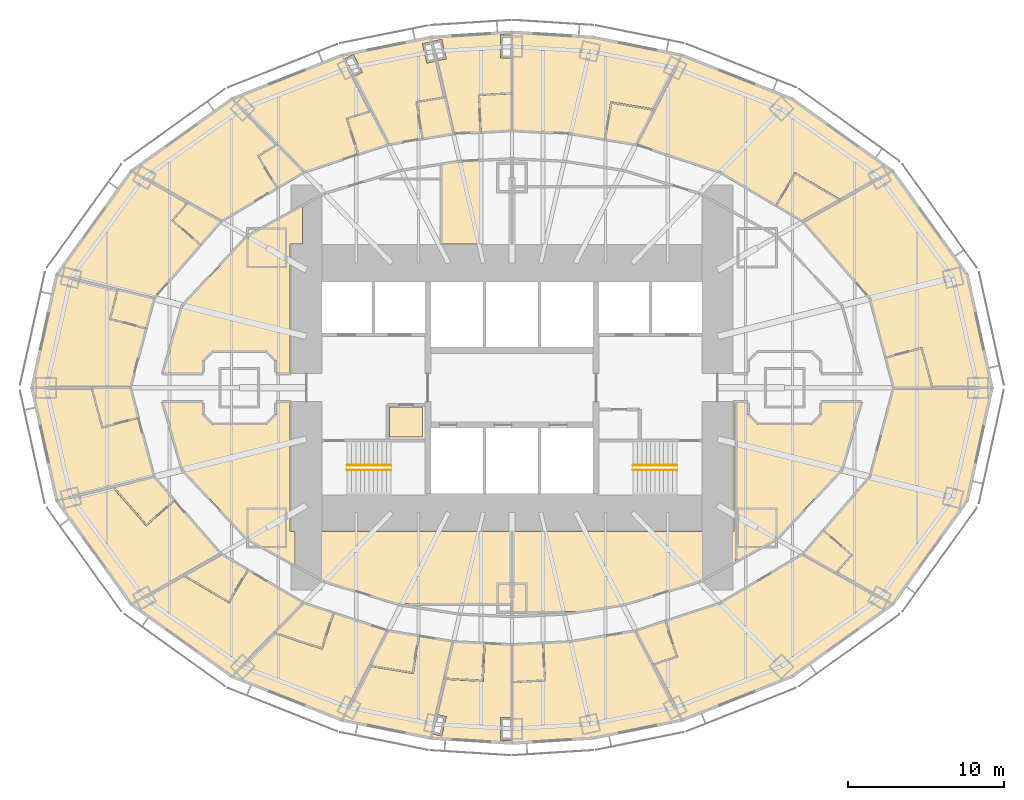
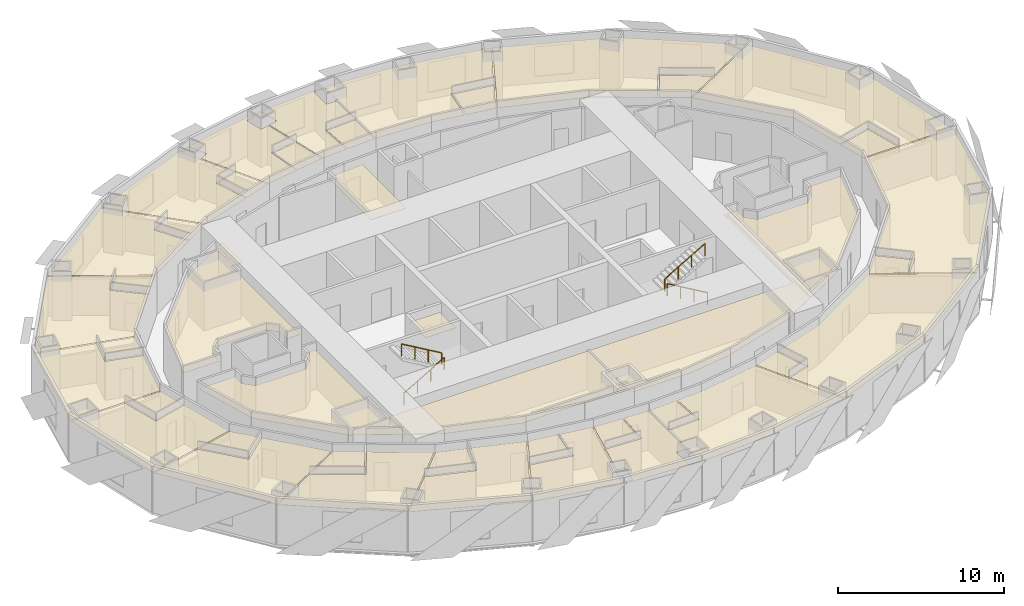
# One storey, part 15 of 15: 43 coverings, 4 railings.
"""IFC4 building model written with IfcOpenShell, lengths in metres."""

from ifc_helpers import new_model, si_unit, direction, frame, origin, origin_2d, place, context, subcontext, project, spatial, polyline, circle, outline, extrude, material, layer, layer_set, type_object, element, save


model = new_model("IFC4")

# Units and contexts
model_context = context("Model", 3, precision=1e-05, world=origin(), true_north=direction((0.0, 1.0)))
body_context = subcontext(model_context, "Body", "Model", "MODEL_VIEW")
ifc_project = project(units=[si_unit("LENGTHUNIT", "METRE"), si_unit("AREAUNIT", "SQUARE_METRE"), si_unit("VOLUMEUNIT", "CUBIC_METRE"), si_unit("PLANEANGLEUNIT", "RADIAN"), si_unit("MASSUNIT", "GRAM", prefix="KILO")], contexts=[model_context])

# Site, building, storey
site_placement = place(None, origin())
site = spatial("IfcSite", under=ifc_project, at=site_placement, CompositionType="ELEMENT")
building_placement = place(site_placement, origin())
building = spatial("IfcBuilding", under=site, at=building_placement, Name="Lantaw Convention Tower", CompositionType="ELEMENT")
storey_placement = place(building_placement, frame((0.0, 0.0, 62.199951171875)))
storey = spatial("IfcBuildingStorey", under=building, at=storey_placement, Name="L13", CompositionType="ELEMENT", Elevation=62.199951171875)

# Railings
ifc_material_1 = material(Name="Stainless steel", Category="steel")
railing_type = type_object("IfcRailingType", Name="Stair handrail", PredefinedType="HANDRAIL", material=ifc_material_1)
railing_1_placement = place(storey_placement, frame((-10.580078125, -5.280029296875, 0.16357421875)))
element("IfcRailing", 1, at=railing_1_placement, inside=storey, type_object=railing_type, Name="Stair handrail S1", PredefinedType="HANDRAIL", context=body_context, shape_type="SweptSolid", body=[
    extrude(circle(Radius=0.02392578125, at=origin_2d()), frame((0.0, 0.0, 0.8759765625), z_axis=(0.863360870873, 0.0, 0.504586966384), x_axis=(0.0, 1.0, 0.0)), (0.0, 0.0, 1.0), 3.2431640625),
    extrude(circle(Radius=0.02099609375, at=origin_2d()), origin(), (0.0, 0.0, 1.0), 0.851806640625),
    extrude(circle(Radius=0.02099609375, at=origin_2d()), frame((0.933349609375, 0.0, 0.54541015625)), (0.0, 0.0, 1.0), 0.851806640625),
    extrude(circle(Radius=0.02099609375, at=origin_2d()), frame((1.86669921875, 0.0, 1.091064453125)), (0.0, 0.0, 1.0), 0.851806640625),
    extrude(circle(Radius=0.02099609375, at=origin_2d()), frame((2.800048828125, 0.0, 1.636474609375)), (0.0, 0.0, 1.0), 0.851806640625),
])
for number, where, name in (
    (2, (-7.780029296875, -4.97998046875, 1.963623046875), "Stair handrail S1"),
    (3, (10.580078125, -5.280029296875, 0.16357421875), "Stair handrail S2"),
):
    element("IfcRailing", number, at=place(storey_placement, frame(where)), inside=storey, type_object=railing_type, Name=name, PredefinedType="HANDRAIL", context=body_context, shape_type="SweptSolid", body=[
        extrude(circle(Radius=0.02392578125, at=origin_2d()), frame((0.0, 0.0, 0.8759765625), z_axis=(-0.863360870873, 0.0, 0.504586966384), x_axis=(0.0, -1.0, 0.0)), (0.0, 0.0, 1.0), 3.2431640625),
        extrude(circle(Radius=0.02099609375, at=origin_2d()), origin(), (0.0, 0.0, 1.0), 0.851806640625),
        extrude(circle(Radius=0.02099609375, at=origin_2d()), frame((-0.933349609375, 0.0, 0.54541015625)), (0.0, 0.0, 1.0), 0.851806640625),
        extrude(circle(Radius=0.02099609375, at=origin_2d()), frame((-1.86669921875, 0.0, 1.091064453125)), (0.0, 0.0, 1.0), 0.851806640625),
        extrude(circle(Radius=0.02099609375, at=origin_2d()), frame((-2.800048828125, 0.0, 1.636474609375)), (0.0, 0.0, 1.0), 0.851806640625),
    ])
railing_2_placement = place(storey_placement, frame((7.780029296875, -4.97998046875, 1.963623046875)))
element("IfcRailing", 4, at=railing_2_placement, inside=storey, type_object=railing_type, Name="Stair handrail S2", PredefinedType="HANDRAIL", context=body_context, shape_type="SweptSolid", body=[
    extrude(circle(Radius=0.02392578125, at=origin_2d()), frame((0.0, 0.0, 0.8759765625), z_axis=(0.863360870873, 0.0, 0.504586966384), x_axis=(0.0, 1.0, 0.0)), (0.0, 0.0, 1.0), 3.2431640625),
    extrude(circle(Radius=0.02099609375, at=origin_2d()), origin(), (0.0, 0.0, 1.0), 0.851806640625),
    extrude(circle(Radius=0.02099609375, at=origin_2d()), frame((0.933349609375, 0.0, 0.54541015625)), (0.0, 0.0, 1.0), 0.851806640625),
    extrude(circle(Radius=0.02099609375, at=origin_2d()), frame((1.86669921875, 0.0, 1.091064453125)), (0.0, 0.0, 1.0), 0.851806640625),
    extrude(circle(Radius=0.02099609375, at=origin_2d()), frame((2.800048828125, 0.0, 1.636474609375)), (0.0, 0.0, 1.0), 0.851806640625),
])

# Coverings
ifc_material_2 = material(Name="Gypsum board on steel suspension grid", Category="steel")
ifc_layer = layer(ifc_material_2, 0.02001953125)
ifc_layer_set = layer_set([ifc_layer], Name="Suspended ceiling")
covering_type = type_object("IfcCoveringType", Name="Suspended ceiling", PredefinedType="CEILING", material=ifc_layer_set)
covering_1_placement = place(storey_placement, frame((0.0, 0.0, 2.85009765625)))
element("IfcCovering", 5, at=covering_1_placement, inside=storey, type_object=covering_type, Name="Housekeeping pantry ceiling", PredefinedType="CEILING", context=body_context, shape_type="SweptSolid", body=[
    extrude(outline(polyline([(-7.860107421875, -3.159912109375), (-5.739990234375, -3.159912109375), (-5.739990234375, -1.239990234375), (-7.860107421875, -1.239990234375), (-7.860107421875, -3.159912109375)])), origin(), (0.0, 0.0, 1.0), 0.02001953125),
])
covering_2_placement = place(storey_placement, frame((0.0, 0.0, 2.85009765625)))
element("IfcCovering", 6, at=covering_2_placement, inside=storey, type_object=covering_type, Name="Accessible WC ceiling", PredefinedType="CEILING", context=body_context, shape_type="SweptSolid", body=[
    extrude(outline(polyline([(-3.3525390625, 14.49853515625), (-4.510009765625, 14.3203125), (-4.510009765625, 9.239990234375), (-2.014892578125, 9.239990234375), (-2.014892578125, 14.56298828125), (-3.3525390625, 14.49853515625)])), origin(), (0.0, 0.0, 1.0), 0.02001953125),
])
covering_3_placement = place(storey_placement, frame((0.0, 0.0, 2.85009765625)))
element("IfcCovering", 7, at=covering_3_placement, inside=storey, type_object=covering_type, Name="Housekeeping room ceiling", PredefinedType="CEILING", context=body_context, shape_type="SweptSolid", body=[
    extrude(outline(polyline([(-22.388671875, 0.93994140625), (-19.864990234375, 0.93994140625), (-19.864990234375, 1.7412109375), (-19.2412109375, 2.364990234375), (-15.7587890625, 2.364990234375), (-15.135009765625, 1.7412109375), (-15.135009765625, 0.93994140625), (-14.239990234375, 0.93994140625), (-14.239990234375, 9.239990234375), (-13.43994140625, 9.239990234375), (-13.43994140625, 11.64697265625), (-16.99609375, 9.694091796875), (-21.148193359375, 5.261474609375), (-22.388671875, 0.93994140625)])), origin(), (0.0, 0.0, 1.0), 0.02001953125),
])
covering_4_placement = place(storey_placement, frame((0.0, 0.0, 2.85009765625)))
element("IfcCovering", 8, at=covering_4_placement, inside=storey, type_object=covering_type, Name="Staff locker room ceiling", PredefinedType="CEILING", context=body_context, shape_type="SweptSolid", body=[
    extrude(outline(polyline([(-12.020263671875, -12.426513671875), (-7.303466796875, -13.860107421875), (-0.0400390625, -13.860107421875), (-0.0400390625, -9.239990234375), (-13.860107421875, -9.239990234375), (-13.860107421875, -11.416259765625), (-12.020263671875, -12.426513671875)])), origin(), (0.0, 0.0, 1.0), 0.02001953125),
])
covering_5_placement = place(storey_placement, frame((0.0, 0.0, 2.85009765625)))
element("IfcCovering", 9, at=covering_5_placement, inside=storey, type_object=covering_type, Name="Staff room ceiling", PredefinedType="CEILING", context=body_context, shape_type="SweptSolid", body=[
    extrude(outline(polyline([(-22.388671875, -0.93994140625), (-21.148193359375, -5.261474609375), (-16.99609375, -9.694091796875), (-13.93994140625, -11.372314453125), (-13.93994140625, -9.239990234375), (-14.239990234375, -9.239990234375), (-14.239990234375, -0.93994140625), (-15.135009765625, -0.93994140625), (-15.135009765625, -1.7412109375), (-15.7587890625, -2.364990234375), (-19.2412109375, -2.364990234375), (-19.864990234375, -1.7412109375), (-19.864990234375, -0.93994140625), (-22.388671875, -0.93994140625)])), origin(), (0.0, 0.0, 1.0), 0.02001953125),
])
covering_6_placement = place(storey_placement, frame((0.0, 0.0, 2.85009765625)))
element("IfcCovering", 10, at=covering_6_placement, inside=storey, type_object=covering_type, Name="Guest ice and vending room ceiling", PredefinedType="CEILING", context=body_context, shape_type="SweptSolid", body=[
    extrude(outline(polyline([(7.10400390625, -13.920654296875), (12.020263671875, -12.426513671875), (14.360107421875, -11.1416015625), (14.360107421875, -0.93994140625), (14.239990234375, -0.93994140625), (14.239990234375, -9.239990234375), (0.0400390625, -9.239990234375), (0.0400390625, -14.360107421875), (4.251953125, -14.360107421875), (7.10400390625, -13.920654296875)])), origin(), (0.0, 0.0, 1.0), 0.02001953125),
])
covering_7_placement = place(storey_placement, frame((0.0, 0.0, 2.85009765625)))
element("IfcCovering", 11, at=covering_7_placement, inside=storey, type_object=covering_type, Name="Room service pantry ceiling", PredefinedType="CEILING", context=body_context, shape_type="SweptSolid", body=[
    extrude(outline(polyline([(22.388671875, -0.93994140625), (19.864990234375, -0.93994140625), (19.864990234375, -1.7412109375), (19.2412109375, -2.364990234375), (15.7587890625, -2.364990234375), (15.135009765625, -1.7412109375), (15.135009765625, -0.93994140625), (14.43994140625, -0.93994140625), (14.43994140625, -11.097900390625), (16.99609375, -9.694091796875), (21.148193359375, -5.261474609375), (22.388671875, -0.93994140625)])), origin(), (0.0, 0.0, 1.0), 0.02001953125),
])
covering_8_placement = place(storey_placement, frame((0.0, 0.0, 2.85009765625)))
element("IfcCovering", 12, at=covering_8_placement, inside=storey, type_object=covering_type, Name="Junior suite bathroom ceiling", PredefinedType="CEILING", context=body_context, shape_type="SweptSolid", body=[
    extrude(outline(polyline([(24.53076171875, 0.0400390625), (26.931396484375, 0.0400390625), (26.27685546875, 2.500732421875), (24.03466796875, 1.904296875), (24.53076171875, 0.0400390625)])), origin(), (0.0, 0.0, 1.0), 0.02001953125),
])
covering_9_placement = place(storey_placement, frame((0.0, 0.0, 2.85009765625)))
element("IfcCovering", 13, at=covering_9_placement, inside=storey, type_object=covering_type, Name="Junior suite ceiling", PredefinedType="CEILING", context=body_context, shape_type="SweptSolid", body=[
    extrude(outline(polyline([(23.01220703125, 5.747802734375), (24.01416015625, 1.981689453125), (26.33349609375, 2.5986328125), (27.01416015625, 0.0400390625), (30.77099609375, 0.0400390625), (29.184814453125, 7.237060546875), (24.423095703125, 13.8564453125), (18.743896484375, 10.664306640625), (23.01220703125, 5.747802734375)])), origin(), (0.0, 0.0, 1.0), 0.02001953125),
])
covering_10_placement = place(storey_placement, frame((0.0, 0.0, 2.85009765625)))
element("IfcCovering", 14, at=covering_10_placement, inside=storey, type_object=covering_type, Name="Junior suite bathroom ceiling", PredefinedType="CEILING", context=body_context, shape_type="SweptSolid", body=[
    extrude(outline(polyline([(18.681884765625, 10.721435546875), (20.998291015625, 12.045166015625), (18.19921875, 13.704833984375), (17.015869140625, 11.709228515625), (18.681884765625, 10.721435546875)])), origin(), (0.0, 0.0, 1.0), 0.02001953125),
])
covering_11_placement = place(storey_placement, frame((0.0, 0.0, 2.85009765625)))
element("IfcCovering", 15, at=covering_11_placement, inside=storey, type_object=covering_type, Name="Junior suite ceiling", PredefinedType="CEILING", context=body_context, shape_type="SweptSolid", body=[
    extrude(outline(polyline([(8.009033203125, 15.630126953125), (13.3740234375, 13.86865234375), (16.936767578125, 11.756103515625), (18.1669921875, 13.830810546875), (21.10986328125, 12.0859375), (24.3603515625, 13.912841796875), (17.951171875, 18.50634765625), (10.930908203125, 21.294921875), (8.009033203125, 15.630126953125)])), origin(), (0.0, 0.0, 1.0), 0.02001953125),
])
covering_12_placement = place(storey_placement, frame((0.0, 0.0, 2.85009765625)))
element("IfcCovering", 16, at=covering_12_placement, inside=storey, type_object=covering_type, Name="Junior suite bathroom ceiling", PredefinedType="CEILING", context=body_context, shape_type="SweptSolid", body=[
    extrude(outline(polyline([(7.9296875, 15.65087890625), (9.034423828125, 17.819091796875), (6.40625, 18.256591796875), (6.025146484375, 15.968017578125), (7.9296875, 15.65087890625)])), origin(), (0.0, 0.0, 1.0), 0.02001953125),
])
covering_13_placement = place(storey_placement, frame((0.0, 0.0, 2.85009765625)))
element("IfcCovering", 17, at=covering_13_placement, inside=storey, type_object=covering_type, Name="Junior suite ceiling", PredefinedType="CEILING", context=body_context, shape_type="SweptSolid", body=[
    extrude(outline(polyline([(0.0400390625, 16.5380859375), (3.7685546875, 16.343994140625), (5.9345703125, 15.983154296875), (6.33056640625, 18.362548828125), (9.09130859375, 17.90283203125), (10.85205078125, 21.31689453125), (5.20556640625, 22.456298828125), (0.0400390625, 22.781982421875), (0.0400390625, 16.5380859375)])), origin(), (0.0, 0.0, 1.0), 0.02001953125),
])
covering_14_placement = place(storey_placement, frame((0.0, 0.0, 2.85009765625)))
element("IfcCovering", 18, at=covering_14_placement, inside=storey, type_object=covering_type, Name="Guest bathroom ceiling", PredefinedType="CEILING", context=body_context, shape_type="SweptSolid", body=[
    extrude(outline(polyline([(-0.0400390625, 16.5380859375), (-0.0400390625, 18.861083984375), (-2.080078125, 18.7548828125), (-1.95947265625, 16.43798828125), (-0.0400390625, 16.5380859375)])), origin(), (0.0, 0.0, 1.0), 0.02001953125),
])
covering_15_placement = place(storey_placement, frame((0.0, 0.0, 2.85009765625)))
element("IfcCovering", 19, at=covering_15_placement, inside=storey, type_object=covering_type, Name="Guest room ceiling", PredefinedType="CEILING", context=body_context, shape_type="SweptSolid", body=[
    extrude(outline(polyline([(-4.815673828125, 20.98046875), (-3.732666015625, 16.345703125), (-2.039306640625, 16.433837890625), (-2.1640625, 18.83056640625), (-0.0400390625, 18.941162109375), (-0.0400390625, 21.159912109375), (-0.739990234375, 21.159912109375), (-0.739990234375, 22.639892578125), (-0.0400390625, 22.639892578125), (-0.0400390625, 22.781982421875), (-5.1611328125, 22.458984375), (-5.10693359375, 22.22705078125), (-4.506591796875, 22.365478515625), (-4.21875, 21.118408203125), (-4.815673828125, 20.98046875)])), origin(), (0.0, 0.0, 1.0), 0.02001953125),
])
covering_16_placement = place(storey_placement, frame((0.0, 0.0, 2.85009765625)))
element("IfcCovering", 20, at=covering_16_placement, inside=storey, type_object=covering_type, Name="Guest bathroom ceiling", PredefinedType="CEILING", context=body_context, shape_type="SweptSolid", body=[
    extrude(outline(polyline([(-3.812744140625, 16.336669921875), (-4.33544921875, 18.6015625), (-6.085205078125, 18.31005859375), (-5.7041015625, 16.021484375), (-3.812744140625, 16.336669921875)])), origin(), (0.0, 0.0, 1.0), 0.02001953125),
])
covering_17_placement = place(storey_placement, frame((0.0, 0.0, 2.85009765625)))
element("IfcCovering", 21, at=covering_17_placement, inside=storey, type_object=covering_type, Name="Guest room ceiling", PredefinedType="CEILING", context=body_context, shape_type="SweptSolid", body=[
    extrude(outline(polyline([(-10.157958984375, 19.970947265625), (-7.929931640625, 15.65087890625), (-5.782958984375, 16.008544921875), (-6.17724609375, 18.3759765625), (-4.35986328125, 18.678466796875), (-4.8935546875, 20.962646484375), (-5.4658203125, 20.83056640625), (-5.75390625, 22.07763671875), (-5.184814453125, 22.208984375), (-5.240966796875, 22.448974609375), (-10.85205078125, 21.31689453125), (-10.74462890625, 21.1083984375), (-10.182861328125, 21.394775390625), (-9.601806640625, 20.254150390625), (-10.157958984375, 19.970947265625)])), origin(), (0.0, 0.0, 1.0), 0.02001953125),
])
covering_18_placement = place(storey_placement, frame((0.0, 0.0, 2.85009765625)))
element("IfcCovering", 22, at=covering_18_placement, inside=storey, type_object=covering_type, Name="Guest bathroom ceiling", PredefinedType="CEILING", context=body_context, shape_type="SweptSolid", body=[
    extrude(outline(polyline([(-8.0087890625, 15.630126953125), (-9.07470703125, 17.721923828125), (-10.55029296875, 17.237548828125), (-9.82666015625, 15.033203125), (-8.0087890625, 15.630126953125)])), origin(), (0.0, 0.0, 1.0), 0.02001953125),
])
covering_19_placement = place(storey_placement, frame((0.0, 0.0, 2.85009765625)))
element("IfcCovering", 23, at=covering_19_placement, inside=storey, type_object=covering_type, Name="Guest room ceiling", PredefinedType="CEILING", context=body_context, shape_type="SweptSolid", body=[
    extrude(outline(polyline([(-13.34619140625, 13.877685546875), (-9.902587890625, 15.00830078125), (-10.6513671875, 17.28857421875), (-9.123291015625, 17.790283203125), (-10.930908203125, 21.294921875), (-17.899658203125, 18.52685546875), (-13.34619140625, 13.877685546875)])), origin(), (0.0, 0.0, 1.0), 0.02001953125),
])
covering_20_placement = place(storey_placement, frame((0.0, 0.0, 2.85009765625)))
element("IfcCovering", 24, at=covering_20_placement, inside=storey, type_object=covering_type, Name="Guest bathroom ceiling", PredefinedType="CEILING", context=body_context, shape_type="SweptSolid", body=[
    extrude(outline(polyline([(-13.42138671875, 13.840576171875), (-15.07763671875, 15.5556640625), (-16.2470703125, 14.8623046875), (-15.063720703125, 12.86669921875), (-13.42138671875, 13.840576171875)])), origin(), (0.0, 0.0, 1.0), 0.02001953125),
])
covering_21_placement = place(storey_placement, frame((0.0, 0.0, 2.85009765625)))
element("IfcCovering", 25, at=covering_21_placement, inside=storey, type_object=covering_type, Name="Guest room ceiling", PredefinedType="CEILING", context=body_context, shape_type="SweptSolid", body=[
    extrude(outline(polyline([(-18.681884765625, 10.721435546875), (-15.132568359375, 12.825927734375), (-16.356689453125, 14.890380859375), (-15.150390625, 15.60546875), (-17.97509765625, 18.4892578125), (-24.3603515625, 13.912841796875), (-18.681884765625, 10.721435546875)])), origin(), (0.0, 0.0, 1.0), 0.02001953125),
])
covering_22_placement = place(storey_placement, frame((0.0, 0.0, 2.85009765625)))
element("IfcCovering", 26, at=covering_22_placement, inside=storey, type_object=covering_type, Name="Guest bathroom ceiling", PredefinedType="CEILING", context=body_context, shape_type="SweptSolid", body=[
    extrude(outline(polyline([(-18.74365234375, 10.66455078125), (-20.797119140625, 11.838134765625), (-21.74853515625, 10.7421875), (-19.99658203125, 9.221435546875), (-18.74365234375, 10.66455078125)])), origin(), (0.0, 0.0, 1.0), 0.02001953125),
])
covering_23_placement = place(storey_placement, frame((0.0, 0.0, 2.85009765625)))
element("IfcCovering", 27, at=covering_23_placement, inside=storey, type_object=covering_type, Name="Guest room ceiling", PredefinedType="CEILING", context=body_context, shape_type="SweptSolid", body=[
    extrude(outline(polyline([(-22.990234375, 5.773193359375), (-20.049072265625, 9.160888671875), (-21.861328125, 10.734375), (-20.8798828125, 11.86474609375), (-24.423095703125, 13.8564453125), (-29.15478515625, 7.2783203125), (-22.990234375, 5.773193359375)])), origin(), (0.0, 0.0, 1.0), 0.02001953125),
])
covering_24_placement = place(storey_placement, frame((0.0, 0.0, 2.85009765625)))
element("IfcCovering", 28, at=covering_24_placement, inside=storey, type_object=covering_type, Name="Guest bathroom ceiling", PredefinedType="CEILING", context=body_context, shape_type="SweptSolid", body=[
    extrude(outline(polyline([(-23.025146484375, 5.699462890625), (-25.2763671875, 6.260986328125), (-25.760498046875, 4.441162109375), (-23.5185546875, 3.8447265625), (-23.025146484375, 5.699462890625)])), origin(), (0.0, 0.0, 1.0), 0.02001953125),
])
covering_25_placement = place(storey_placement, frame((0.0, 0.0, 2.85009765625)))
element("IfcCovering", 29, at=covering_25_placement, inside=storey, type_object=covering_type, Name="Guest room ceiling", PredefinedType="CEILING", context=body_context, shape_type="SweptSolid", body=[
    extrude(outline(polyline([(-24.53076171875, 0.0400390625), (-23.5390625, 3.767333984375), (-25.8583984375, 4.384521484375), (-25.357177734375, 6.268798828125), (-29.191650390625, 7.205078125), (-30.77099609375, 0.0400390625), (-24.53076171875, 0.0400390625)])), origin(), (0.0, 0.0, 1.0), 0.02001953125),
])
covering_26_placement = place(storey_placement, frame((0.0, 0.0, 2.85009765625)))
element("IfcCovering", 30, at=covering_26_placement, inside=storey, type_object=covering_type, Name="Guest bathroom ceiling", PredefinedType="CEILING", context=body_context, shape_type="SweptSolid", body=[
    extrude(outline(polyline([(-24.53076171875, -0.0400390625), (-26.931396484375, -0.0400390625), (-26.27685546875, -2.500732421875), (-24.03466796875, -1.904296875), (-24.53076171875, -0.0400390625)])), origin(), (0.0, 0.0, 1.0), 0.02001953125),
])
covering_27_placement = place(storey_placement, frame((0.0, 0.0, 2.85009765625)))
element("IfcCovering", 31, at=covering_27_placement, inside=storey, type_object=covering_type, Name="Guest room ceiling", PredefinedType="CEILING", context=body_context, shape_type="SweptSolid", body=[
    extrude(outline(polyline([(-24.01416015625, -1.981689453125), (-26.33349609375, -2.5986328125), (-27.01416015625, -0.0400390625), (-30.77099609375, -0.0400390625), (-29.191650390625, -7.205078125), (-23.025146484375, -5.699462890625), (-24.01416015625, -1.981689453125)])), origin(), (0.0, 0.0, 1.0), 0.02001953125),
])
covering_28_placement = place(storey_placement, frame((0.0, 0.0, 2.85009765625)))
element("IfcCovering", 32, at=covering_28_placement, inside=storey, type_object=covering_type, Name="Guest bathroom ceiling", PredefinedType="CEILING", context=body_context, shape_type="SweptSolid", body=[
    extrude(outline(polyline([(-22.990234375, -5.773193359375), (-25.515869140625, -6.403076171875), (-23.47314453125, -8.755859375), (-21.72119140625, -7.23486328125), (-22.990234375, -5.773193359375)])), origin(), (0.0, 0.0, 1.0), 0.02001953125),
])
covering_29_placement = place(storey_placement, frame((0.0, 0.0, 2.85009765625)))
element("IfcCovering", 33, at=covering_29_placement, inside=storey, type_object=covering_type, Name="Guest room ceiling", PredefinedType="CEILING", context=body_context, shape_type="SweptSolid", body=[
    extrude(outline(polyline([(-25.625732421875, -6.416748046875), (-29.15478515625, -7.2783203125), (-24.423095703125, -13.8564453125), (-18.743896484375, -10.664306640625), (-21.660888671875, -7.30419921875), (-23.482421875, -8.885498046875), (-25.625732421875, -6.416748046875)])), origin(), (0.0, 0.0, 1.0), 0.02001953125),
])
covering_30_placement = place(storey_placement, frame((0.0, 0.0, 2.85009765625)))
element("IfcCovering", 34, at=covering_30_placement, inside=storey, type_object=covering_type, Name="Guest bathroom ceiling", PredefinedType="CEILING", context=body_context, shape_type="SweptSolid", body=[
    extrude(outline(polyline([(-18.681884765625, -10.721435546875), (-20.998291015625, -12.045166015625), (-18.19921875, -13.704833984375), (-17.015869140625, -11.709228515625), (-18.681884765625, -10.721435546875)])), origin(), (0.0, 0.0, 1.0), 0.02001953125),
])
covering_31_placement = place(storey_placement, frame((0.0, 0.0, 2.85009765625)))
element("IfcCovering", 35, at=covering_31_placement, inside=storey, type_object=covering_type, Name="Guest room ceiling", PredefinedType="CEILING", context=body_context, shape_type="SweptSolid", body=[
    extrude(outline(polyline([(-21.10986328125, -12.0859375), (-24.3603515625, -13.912841796875), (-17.97509765625, -18.4892578125), (-13.421630859375, -13.84033203125), (-16.936767578125, -11.756103515625), (-18.1669921875, -13.830810546875), (-21.10986328125, -12.0859375)])), origin(), (0.0, 0.0, 1.0), 0.02001953125),
])
covering_32_placement = place(storey_placement, frame((0.0, 0.0, 2.85009765625)))
element("IfcCovering", 36, at=covering_32_placement, inside=storey, type_object=covering_type, Name="Guest bathroom ceiling", PredefinedType="CEILING", context=body_context, shape_type="SweptSolid", body=[
    extrude(outline(polyline([(-13.34619140625, -13.8779296875), (-15.136474609375, -15.73193359375), (-12.2314453125, -16.685546875), (-11.5078125, -14.4814453125), (-13.34619140625, -13.8779296875)])), origin(), (0.0, 0.0, 1.0), 0.02001953125),
])
covering_33_placement = place(storey_placement, frame((0.0, 0.0, 2.85009765625)))
element("IfcCovering", 37, at=covering_33_placement, inside=storey, type_object=covering_type, Name="Guest room ceiling", PredefinedType="CEILING", context=body_context, shape_type="SweptSolid", body=[
    extrude(outline(polyline([(-15.227783203125, -15.798828125), (-17.899658203125, -18.52685546875), (-10.930908203125, -21.294921875), (-8.009033203125, -15.630126953125), (-11.42041015625, -14.510009765625), (-12.172607421875, -16.8017578125), (-15.227783203125, -15.798828125)])), origin(), (0.0, 0.0, 1.0), 0.02001953125),
])
covering_34_placement = place(storey_placement, frame((0.0, 0.0, 2.85009765625)))
element("IfcCovering", 38, at=covering_34_placement, inside=storey, type_object=covering_type, Name="Guest bathroom ceiling", PredefinedType="CEILING", context=body_context, shape_type="SweptSolid", body=[
    extrude(outline(polyline([(-7.9296875, -15.65087890625), (-9.034423828125, -17.819091796875), (-6.40625, -18.256591796875), (-6.025146484375, -15.968017578125), (-7.9296875, -15.65087890625)])), origin(), (0.0, 0.0, 1.0), 0.02001953125),
])
covering_35_placement = place(storey_placement, frame((0.0, 0.0, 2.85009765625)))
element("IfcCovering", 39, at=covering_35_placement, inside=storey, type_object=covering_type, Name="Guest room ceiling", PredefinedType="CEILING", context=body_context, shape_type="SweptSolid", body=[
    extrude(outline(polyline([(-9.09130859375, -17.90283203125), (-10.85205078125, -21.31689453125), (-5.240966796875, -22.448974609375), (-3.812744140625, -16.336669921875), (-5.9345703125, -15.983154296875), (-6.33056640625, -18.362548828125), (-9.09130859375, -17.90283203125)])), origin(), (0.0, 0.0, 1.0), 0.02001953125),
])
covering_36_placement = place(storey_placement, frame((0.0, 0.0, 2.85009765625)))
element("IfcCovering", 40, at=covering_36_placement, inside=storey, type_object=covering_type, Name="Guest bathroom ceiling", PredefinedType="CEILING", context=body_context, shape_type="SweptSolid", body=[
    extrude(outline(polyline([(-3.732666015625, -16.345703125), (-4.2626953125, -18.641357421875), (-1.929443359375, -18.7626953125), (-1.808837890625, -16.44580078125), (-3.732666015625, -16.345703125)])), origin(), (0.0, 0.0, 1.0), 0.02001953125),
])
covering_37_placement = place(storey_placement, frame((0.0, 0.0, 2.85009765625)))
element("IfcCovering", 41, at=covering_37_placement, inside=storey, type_object=covering_type, Name="Guest room ceiling", PredefinedType="CEILING", context=body_context, shape_type="SweptSolid", body=[
    extrude(outline(polyline([(-0.0400390625, -16.5380859375), (-1.717041015625, -16.45068359375), (-1.84228515625, -18.859375), (-4.290283203125, -18.73193359375), (-4.815673828125, -20.98046875), (-4.21875, -21.118408203125), (-4.506591796875, -22.365478515625), (-5.10693359375, -22.22705078125), (-5.1611328125, -22.458984375), (-0.0400390625, -22.781982421875), (-0.0400390625, -22.639892578125), (-0.739990234375, -22.639892578125), (-0.739990234375, -21.159912109375), (-0.0400390625, -21.159912109375), (-0.0400390625, -16.5380859375)])), origin(), (0.0, 0.0, 1.0), 0.02001953125),
])
covering_38_placement = place(storey_placement, frame((0.0, 0.0, 2.85009765625)))
element("IfcCovering", 42, at=covering_38_placement, inside=storey, type_object=covering_type, Name="Junior suite bathroom ceiling", PredefinedType="CEILING", context=body_context, shape_type="SweptSolid", body=[
    extrude(outline(polyline([(0.0400390625, -16.5380859375), (0.0400390625, -18.861083984375), (2.080078125, -18.7548828125), (1.95947265625, -16.43798828125), (0.0400390625, -16.5380859375)])), origin(), (0.0, 0.0, 1.0), 0.02001953125),
])
covering_39_placement = place(storey_placement, frame((0.0, 0.0, 2.85009765625)))
element("IfcCovering", 43, at=covering_39_placement, inside=storey, type_object=covering_type, Name="Junior suite ceiling", PredefinedType="CEILING", context=body_context, shape_type="SweptSolid", body=[
    extrude(outline(polyline([(3.7685546875, -16.343994140625), (2.039306640625, -16.433837890625), (2.1640625, -18.83056640625), (0.0400390625, -18.941162109375), (0.0400390625, -22.781982421875), (5.20556640625, -22.456298828125), (10.85205078125, -21.31689453125), (7.929931640625, -15.65087890625), (3.7685546875, -16.343994140625)])), origin(), (0.0, 0.0, 1.0), 0.02001953125),
])
covering_40_placement = place(storey_placement, frame((0.0, 0.0, 2.85009765625)))
element("IfcCovering", 44, at=covering_40_placement, inside=storey, type_object=covering_type, Name="Junior suite bathroom ceiling", PredefinedType="CEILING", context=body_context, shape_type="SweptSolid", body=[
    extrude(outline(polyline([(8.0087890625, -15.630126953125), (9.07470703125, -17.721923828125), (10.55029296875, -17.237548828125), (9.82666015625, -15.033203125), (8.0087890625, -15.630126953125)])), origin(), (0.0, 0.0, 1.0), 0.02001953125),
])
covering_41_placement = place(storey_placement, frame((0.0, 0.0, 2.85009765625)))
element("IfcCovering", 45, at=covering_41_placement, inside=storey, type_object=covering_type, Name="Junior suite ceiling", PredefinedType="CEILING", context=body_context, shape_type="SweptSolid", body=[
    extrude(outline(polyline([(13.3740234375, -13.86865234375), (9.902587890625, -15.00830078125), (10.6513671875, -17.28857421875), (9.123291015625, -17.790283203125), (10.930908203125, -21.294921875), (17.951171875, -18.50634765625), (24.3603515625, -13.912841796875), (18.681884765625, -10.721435546875), (13.3740234375, -13.86865234375)])), origin(), (0.0, 0.0, 1.0), 0.02001953125),
])
covering_42_placement = place(storey_placement, frame((0.0, 0.0, 2.85009765625)))
element("IfcCovering", 46, at=covering_42_placement, inside=storey, type_object=covering_type, Name="Junior suite bathroom ceiling", PredefinedType="CEILING", context=body_context, shape_type="SweptSolid", body=[
    extrude(outline(polyline([(18.74365234375, -10.66455078125), (20.797119140625, -11.838134765625), (21.74853515625, -10.7421875), (19.99658203125, -9.221435546875), (18.74365234375, -10.66455078125)])), origin(), (0.0, 0.0, 1.0), 0.02001953125),
])
covering_43_placement = place(storey_placement, frame((0.0, 0.0, 2.85009765625)))
element("IfcCovering", 47, at=covering_43_placement, inside=storey, type_object=covering_type, Name="Junior suite ceiling", PredefinedType="CEILING", context=body_context, shape_type="SweptSolid", body=[
    extrude(outline(polyline([(23.01220703125, -5.747802734375), (20.049072265625, -9.160888671875), (21.861328125, -10.734375), (20.8798828125, -11.86474609375), (24.423095703125, -13.8564453125), (29.184814453125, -7.237060546875), (30.77099609375, -0.0400390625), (24.53076171875, -0.0400390625), (23.01220703125, -5.747802734375)])), origin(), (0.0, 0.0, 1.0), 0.02001953125),
])

save(model, "model.ifc")
